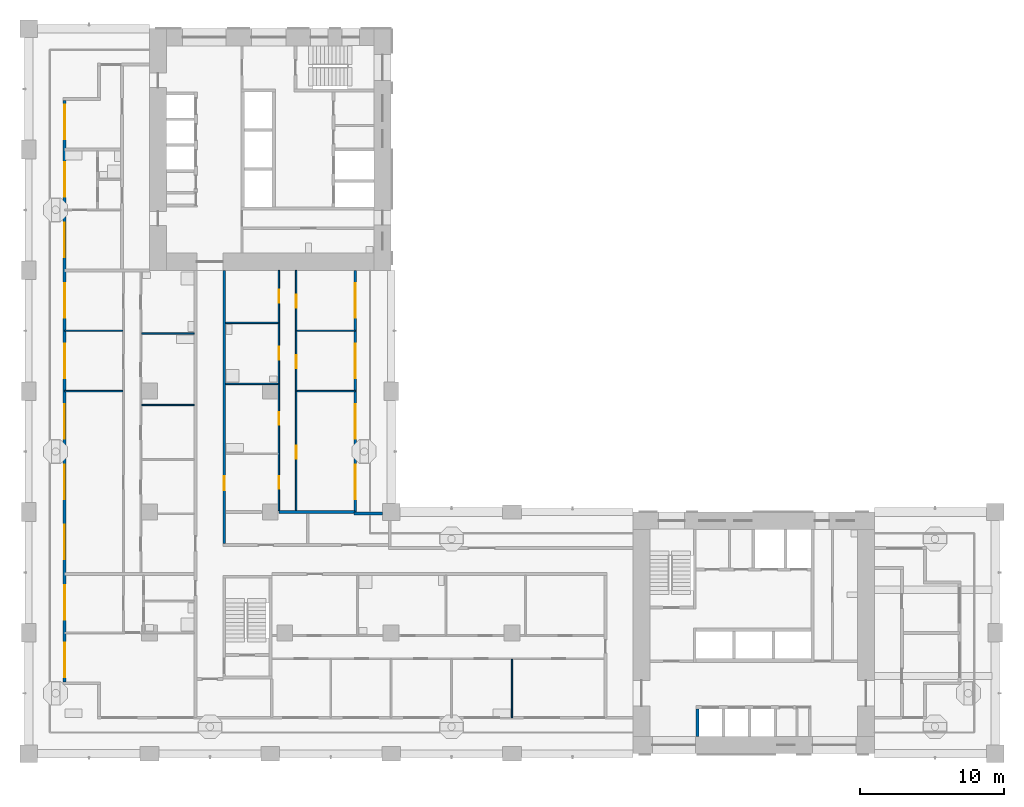
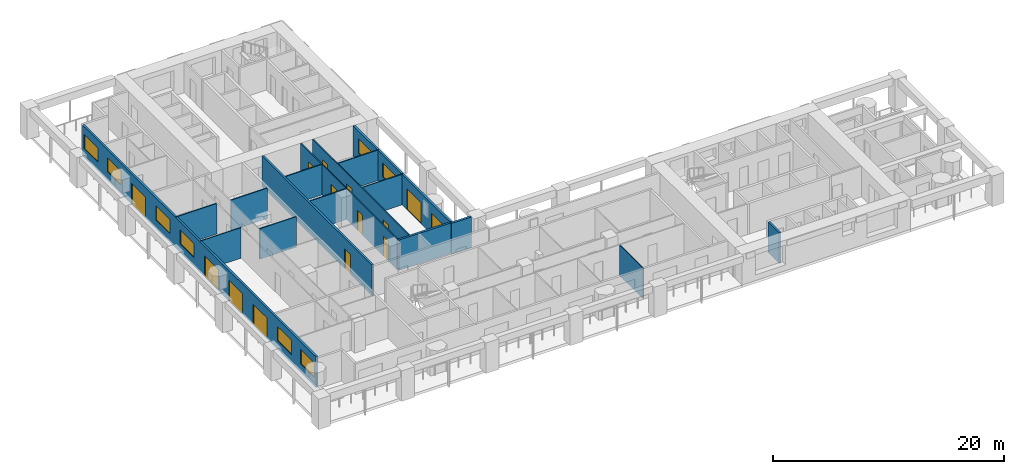
# One storey, part 4 of 18: 17 walls, 14 doors, 8 windows, 22 openings.
"""IFC4 building model written with IfcOpenShell, lengths in metres."""

from ifc_helpers import new_model, si_unit, direction, frame, frame_2d, origin, place, context, subcontext, project, spatial, rectangle, extrude, material, layer, layer_set, type_object, element, fill, save


model = new_model("IFC4")

# Units and contexts
model_context = context("Model", 3, precision=1e-05, world=origin(), true_north=direction((0.0, 1.0)))
body_context = subcontext(model_context, "Body", "Model", "MODEL_VIEW")
ifc_project = project(units=[si_unit("LENGTHUNIT", "METRE"), si_unit("AREAUNIT", "SQUARE_METRE"), si_unit("VOLUMEUNIT", "CUBIC_METRE"), si_unit("PLANEANGLEUNIT", "RADIAN"), si_unit("MASSUNIT", "GRAM", prefix="KILO")], contexts=[model_context])

# Site, building, storey
site_placement = place(None, origin())
site = spatial("IfcSite", under=ifc_project, at=site_placement, CompositionType="ELEMENT")
building_placement = place(site_placement, origin())
building = spatial("IfcBuilding", under=site, at=building_placement, Name="Vermilion Gate Residences", CompositionType="ELEMENT")
storey_placement = place(building_placement, frame((0.0, 0.0, 105.699951171875)))
storey = spatial("IfcBuildingStorey", under=building, at=storey_placement, Name="L26", CompositionType="ELEMENT", Elevation=105.699951171875)

# Wall, openings, doors, windows
ifc_material_1 = material(Name="Insulated steel stud wall with terracotta rainscreen", Category="masonry")
ifc_layer_1 = layer(ifc_material_1, 0.199951171875)
ifc_layer_set_1 = layer_set([ifc_layer_1], Name="EXTERNAL WALL 200 TERRACOTTA RAINSCREEN")
wall_type_1 = type_object("IfcWallType", Name="EXTERNAL WALL 200 TERRACOTTA RAINSCREEN", PredefinedType="SOLIDWALL", material=ifc_layer_set_1)
wall_1_placement = place(storey_placement, frame((2.5, 53.800048828125, 0.0), z_axis=(0.0, 0.0, 1.0), x_axis=(0.0, -1.0, 0.0)))
wall_1 = element("IfcWall", 1, at=wall_1_placement, inside=storey, type_object=wall_type_1, Name="External wall", PredefinedType="SOLIDWALL", context=body_context, shape_type="SweptSolid", body=[
    extrude(rectangle(XDim=40.400146484375, YDim=0.199951171875, at=frame_2d((20.2001953125, 0.0))), origin(), (0.0, 0.0, 1.0), 3.219970703125),
])
opening_1_placement = place(wall_1_placement, frame((37.699951171875, 0.0, 0.89990234375)))
opening_1 = element("IfcOpeningElement", 2, at=opening_1_placement, cuts=wall_1, Name="Opening WE26002", PredefinedType="OPENING", context=body_context, shape_type="SweptSolid", body=[
    extrude(rectangle(XDim=2.39990234375, YDim=1.5, at=frame_2d((1.199951171875, 0.75))), frame((0.0, 0.10986328125, 0.0), z_axis=(0.0, -1.0, 0.0), x_axis=(1.0, 0.0, 0.0)), (0.0, 0.0, 1.0), 0.219970703125),
])
opening_2_placement = place(wall_1_placement, frame((33.699951171875, 0.0, 0.89990234375)))
opening_2 = element("IfcOpeningElement", 3, at=opening_2_placement, cuts=wall_1, Name="Opening WE26003", PredefinedType="OPENING", context=body_context, shape_type="SweptSolid", body=[
    extrude(rectangle(XDim=2.39990234375, YDim=1.5, at=frame_2d((1.199951171875, 0.75))), frame((0.0, 0.10986328125, 0.0), z_axis=(0.0, -1.0, 0.0), x_axis=(1.0, 0.0, 0.0)), (0.0, 0.0, 1.0), 0.219970703125),
])
opening_3_placement = place(wall_1_placement, frame((29.5, 0.0, 0.0)))
opening_3 = element("IfcOpeningElement", 4, at=opening_3_placement, cuts=wall_1, Name="Opening DE26004", PredefinedType="OPENING", context=body_context, shape_type="SweptSolid", body=[
    extrude(rectangle(XDim=2.39990234375, YDim=2.199951171875, at=frame_2d((1.199951171875, 1.10009765625))), frame((0.0, 0.10986328125, 0.0), z_axis=(0.0, -1.0, 0.0), x_axis=(1.0, 0.0, 0.0)), (0.0, 0.0, 1.0), 0.219970703125),
])
opening_4_placement = place(wall_1_placement, frame((25.300048828125, 0.0, 0.0)))
opening_4 = element("IfcOpeningElement", 5, at=opening_4_placement, cuts=wall_1, Name="Opening DE26005", PredefinedType="OPENING", context=body_context, shape_type="SweptSolid", body=[
    extrude(rectangle(XDim=2.39990234375, YDim=2.199951171875, at=frame_2d((1.199951171875, 1.10009765625))), frame((0.0, 0.10986328125, 0.0), z_axis=(0.0, -1.0, 0.0), x_axis=(1.0, 0.0, 0.0)), (0.0, 0.0, 1.0), 0.219970703125),
])
opening_5_placement = place(wall_1_placement, frame((21.10009765625, 0.0, 0.0)))
opening_5 = element("IfcOpeningElement", 6, at=opening_5_placement, cuts=wall_1, Name="Opening DE26006", PredefinedType="OPENING", context=body_context, shape_type="SweptSolid", body=[
    extrude(rectangle(XDim=2.39990234375, YDim=2.199951171875, at=frame_2d((1.199951171875, 1.10009765625))), frame((0.0, 0.10986328125, 0.0), z_axis=(0.0, -1.0, 0.0), x_axis=(1.0, 0.0, 0.0)), (0.0, 0.0, 1.0), 0.219970703125),
])
opening_6_placement = place(wall_1_placement, frame((16.89990234375, 0.0, 0.89990234375)))
opening_6 = element("IfcOpeningElement", 7, at=opening_6_placement, cuts=wall_1, Name="Opening WE26007", PredefinedType="OPENING", context=body_context, shape_type="SweptSolid", body=[
    extrude(rectangle(XDim=2.39990234375, YDim=1.5, at=frame_2d((1.199951171875, 0.75))), frame((0.0, 0.10986328125, 0.0), z_axis=(0.0, -1.0, 0.0), x_axis=(1.0, 0.0, 0.0)), (0.0, 0.0, 1.0), 0.219970703125),
])
opening_7_placement = place(wall_1_placement, frame((12.699951171875, 0.0, 0.89990234375)))
opening_7 = element("IfcOpeningElement", 8, at=opening_7_placement, cuts=wall_1, Name="Opening WE26008", PredefinedType="OPENING", context=body_context, shape_type="SweptSolid", body=[
    extrude(rectangle(XDim=2.39990234375, YDim=1.5, at=frame_2d((1.199951171875, 0.75))), frame((0.0, 0.10986328125, 0.0), z_axis=(0.0, -1.0, 0.0), x_axis=(1.0, 0.0, 0.0)), (0.0, 0.0, 1.0), 0.219970703125),
])
opening_8_placement = place(wall_1_placement, frame((8.5, 0.0, 0.0)))
opening_8 = element("IfcOpeningElement", 9, at=opening_8_placement, cuts=wall_1, Name="Opening DE26009", PredefinedType="OPENING", context=body_context, shape_type="SweptSolid", body=[
    extrude(rectangle(XDim=2.39990234375, YDim=2.199951171875, at=frame_2d((1.199951171875, 1.10009765625))), frame((0.0, 0.10986328125, 0.0), z_axis=(0.0, -1.0, 0.0), x_axis=(1.0, 0.0, 0.0)), (0.0, 0.0, 1.0), 0.219970703125),
])
opening_9_placement = place(wall_1_placement, frame((4.300048828125, 0.0, 0.89990234375)))
opening_9 = element("IfcOpeningElement", 10, at=opening_9_placement, cuts=wall_1, Name="Opening WE26010", PredefinedType="OPENING", context=body_context, shape_type="SweptSolid", body=[
    extrude(rectangle(XDim=2.39990234375, YDim=1.5, at=frame_2d((1.199951171875, 0.75))), frame((0.0, 0.10986328125, 0.0), z_axis=(0.0, -1.0, 0.0), x_axis=(1.0, 0.0, 0.0)), (0.0, 0.0, 1.0), 0.219970703125),
])
opening_10_placement = place(wall_1_placement, frame((0.300048828125, 0.0, 0.89990234375)))
opening_10 = element("IfcOpeningElement", 11, at=opening_10_placement, cuts=wall_1, Name="Opening WE26011", PredefinedType="OPENING", context=body_context, shape_type="SweptSolid", body=[
    extrude(rectangle(XDim=2.39990234375, YDim=1.5, at=frame_2d((1.199951171875, 0.75))), frame((0.0, 0.10986328125, 0.0), z_axis=(0.0, -1.0, 0.0), x_axis=(1.0, 0.0, 0.0)), (0.0, 0.0, 1.0), 0.219970703125),
])
ifc_material_2 = material(Name="Aluminium and clear glass", Category="aluminium")
door_type_1 = type_object("IfcDoorType", Name="SLIDING GLAZED DOOR 2400 X 2200", OperationType="DOUBLE_DOOR_SLIDING", PredefinedType="DOOR", material=ifc_material_2)
door_1_placement = place(opening_3_placement, origin())
door_1 = element("IfcDoor", 12, at=door_1_placement, inside=storey, type_object=door_type_1, Name="Loggia sliding door", OperationType="DOUBLE_DOOR_SLIDING", OverallHeight=2.199951171875, OverallWidth=2.39990234375, PredefinedType="DOOR", context=body_context, shape_type="SweptSolid", body=[
    extrude(rectangle(XDim=2.39990234375, YDim=2.199951171875, at=frame_2d((1.199951171875, 1.10009765625))), frame((0.0, 0.02490234375, 0.0), z_axis=(0.0, -1.0, 0.0), x_axis=(1.0, 0.0, 0.0)), (0.0, 0.0, 1.0), 0.050048828125),
])
fill(opening_3, door_1)
door_2_placement = place(opening_4_placement, origin())
door_2 = element("IfcDoor", 13, at=door_2_placement, inside=storey, type_object=door_type_1, Name="Loggia sliding door", OperationType="DOUBLE_DOOR_SLIDING", OverallHeight=2.199951171875, OverallWidth=2.39990234375, PredefinedType="DOOR", context=body_context, shape_type="SweptSolid", body=[
    extrude(rectangle(XDim=2.39990234375, YDim=2.199951171875, at=frame_2d((1.199951171875, 1.10009765625))), frame((0.0, 0.02490234375, 0.0), z_axis=(0.0, -1.0, 0.0), x_axis=(1.0, 0.0, 0.0)), (0.0, 0.0, 1.0), 0.050048828125),
])
fill(opening_4, door_2)
door_3_placement = place(opening_5_placement, origin())
door_3 = element("IfcDoor", 14, at=door_3_placement, inside=storey, type_object=door_type_1, Name="Loggia sliding door", OperationType="DOUBLE_DOOR_SLIDING", OverallHeight=2.199951171875, OverallWidth=2.39990234375, PredefinedType="DOOR", context=body_context, shape_type="SweptSolid", body=[
    extrude(rectangle(XDim=2.39990234375, YDim=2.199951171875, at=frame_2d((1.199951171875, 1.10009765625))), frame((0.0, 0.02490234375, 0.0), z_axis=(0.0, -1.0, 0.0), x_axis=(1.0, 0.0, 0.0)), (0.0, 0.0, 1.0), 0.050048828125),
])
fill(opening_5, door_3)
door_4_placement = place(opening_8_placement, origin())
door_4 = element("IfcDoor", 15, at=door_4_placement, inside=storey, type_object=door_type_1, Name="Loggia sliding door", OperationType="DOUBLE_DOOR_SLIDING", OverallHeight=2.199951171875, OverallWidth=2.39990234375, PredefinedType="DOOR", context=body_context, shape_type="SweptSolid", body=[
    extrude(rectangle(XDim=2.39990234375, YDim=2.199951171875, at=frame_2d((1.199951171875, 1.10009765625))), frame((0.0, 0.02490234375, 0.0), z_axis=(0.0, -1.0, 0.0), x_axis=(1.0, 0.0, 0.0)), (0.0, 0.0, 1.0), 0.050048828125),
])
fill(opening_8, door_4)
ifc_material_3 = material(Name="Aluminium and clear glass", Category="aluminium")
window_type = type_object("IfcWindowType", Name="WINDOW 2400 X 1500", PartitioningType="SINGLE_PANEL", PredefinedType="WINDOW", material=ifc_material_3)
window_1_placement = place(opening_1_placement, origin())
window_1 = element("IfcWindow", 16, at=window_1_placement, inside=storey, type_object=window_type, Name="Window", OverallHeight=1.5, OverallWidth=2.39990234375, PartitioningType="SINGLE_PANEL", PredefinedType="WINDOW", context=body_context, shape_type="SweptSolid", body=[
    extrude(rectangle(XDim=2.39990234375, YDim=1.5, at=frame_2d((1.199951171875, 0.75))), frame((0.0, 0.030029296875, 0.0), z_axis=(0.0, -1.0, 0.0), x_axis=(1.0, 0.0, 0.0)), (0.0, 0.0, 1.0), 0.06005859375),
])
fill(opening_1, window_1)
window_2_placement = place(opening_2_placement, origin())
window_2 = element("IfcWindow", 17, at=window_2_placement, inside=storey, type_object=window_type, Name="Window", OverallHeight=1.5, OverallWidth=2.39990234375, PartitioningType="SINGLE_PANEL", PredefinedType="WINDOW", context=body_context, shape_type="SweptSolid", body=[
    extrude(rectangle(XDim=2.39990234375, YDim=1.5, at=frame_2d((1.199951171875, 0.75))), frame((0.0, 0.030029296875, 0.0), z_axis=(0.0, -1.0, 0.0), x_axis=(1.0, 0.0, 0.0)), (0.0, 0.0, 1.0), 0.06005859375),
])
fill(opening_2, window_2)
window_3_placement = place(opening_6_placement, origin())
window_3 = element("IfcWindow", 18, at=window_3_placement, inside=storey, type_object=window_type, Name="Window", OverallHeight=1.5, OverallWidth=2.39990234375, PartitioningType="SINGLE_PANEL", PredefinedType="WINDOW", context=body_context, shape_type="SweptSolid", body=[
    extrude(rectangle(XDim=2.39990234375, YDim=1.5, at=frame_2d((1.199951171875, 0.75))), frame((0.0, 0.030029296875, 0.0), z_axis=(0.0, -1.0, 0.0), x_axis=(1.0, 0.0, 0.0)), (0.0, 0.0, 1.0), 0.06005859375),
])
fill(opening_6, window_3)
window_4_placement = place(opening_7_placement, origin())
window_4 = element("IfcWindow", 19, at=window_4_placement, inside=storey, type_object=window_type, Name="Window", OverallHeight=1.5, OverallWidth=2.39990234375, PartitioningType="SINGLE_PANEL", PredefinedType="WINDOW", context=body_context, shape_type="SweptSolid", body=[
    extrude(rectangle(XDim=2.39990234375, YDim=1.5, at=frame_2d((1.199951171875, 0.75))), frame((0.0, 0.030029296875, 0.0), z_axis=(0.0, -1.0, 0.0), x_axis=(1.0, 0.0, 0.0)), (0.0, 0.0, 1.0), 0.06005859375),
])
fill(opening_7, window_4)
window_5_placement = place(opening_9_placement, origin())
window_5 = element("IfcWindow", 20, at=window_5_placement, inside=storey, type_object=window_type, Name="Window", OverallHeight=1.5, OverallWidth=2.39990234375, PartitioningType="SINGLE_PANEL", PredefinedType="WINDOW", context=body_context, shape_type="SweptSolid", body=[
    extrude(rectangle(XDim=2.39990234375, YDim=1.5, at=frame_2d((1.199951171875, 0.75))), frame((0.0, 0.030029296875, 0.0), z_axis=(0.0, -1.0, 0.0), x_axis=(1.0, 0.0, 0.0)), (0.0, 0.0, 1.0), 0.06005859375),
])
fill(opening_9, window_5)
window_6_placement = place(opening_10_placement, origin())
window_6 = element("IfcWindow", 21, at=window_6_placement, inside=storey, type_object=window_type, Name="Window", OverallHeight=1.5, OverallWidth=2.39990234375, PartitioningType="SINGLE_PANEL", PredefinedType="WINDOW", context=body_context, shape_type="SweptSolid", body=[
    extrude(rectangle(XDim=2.39990234375, YDim=1.5, at=frame_2d((1.199951171875, 0.75))), frame((0.0, 0.030029296875, 0.0), z_axis=(0.0, -1.0, 0.0), x_axis=(1.0, 0.0, 0.0)), (0.0, 0.0, 1.0), 0.06005859375),
])
fill(opening_10, window_6)

# Wall
wall_2_placement = place(storey_placement, frame((24.60009765625, 25.10009765625, 0.0), z_axis=(0.0, 0.0, 1.0), x_axis=(-1.0, 0.0, 0.0)))
element("IfcWall", 22, at=wall_2_placement, inside=storey, type_object=wall_type_1, Name="External wall", PredefinedType="SOLIDWALL", context=body_context, shape_type="SweptSolid", body=[
    extrude(rectangle(XDim=2.0, YDim=0.199951171875, at=frame_2d((1.0, 0.0))), origin(), (0.0, 0.0, 1.0), 3.219970703125),
])

# Wall, openings, doors, windows
wall_3_placement = place(storey_placement, frame((22.699951171875, 25.199951171875, 0.0), z_axis=(0.0, 0.0, 1.0), x_axis=(0.0, 1.0, 0.0)))
wall_3 = element("IfcWall", 23, at=wall_3_placement, inside=storey, type_object=wall_type_1, Name="External wall", PredefinedType="SOLIDWALL", context=body_context, shape_type="SweptSolid", body=[
    extrude(rectangle(XDim=16.800048828125, YDim=0.199951171875, at=frame_2d((8.39990234375, 0.0))), origin(), (0.0, 0.0, 1.0), 3.219970703125),
])
opening_11_placement = place(wall_3_placement, frame((0.89990234375, 0.0, 0.0)))
opening_11 = element("IfcOpeningElement", 24, at=opening_11_placement, cuts=wall_3, Name="Opening DE26024", PredefinedType="OPENING", context=body_context, shape_type="SweptSolid", body=[
    extrude(rectangle(XDim=2.39990234375, YDim=2.199951171875, at=frame_2d((1.199951171875, 1.10009765625))), frame((0.0, 0.10986328125, 0.0), z_axis=(0.0, -1.0, 0.0), x_axis=(1.0, 0.0, 0.0)), (0.0, 0.0, 1.0), 0.219970703125),
])
opening_12_placement = place(wall_3_placement, frame((5.10009765625, 0.0, 0.0)))
opening_12 = element("IfcOpeningElement", 25, at=opening_12_placement, cuts=wall_3, Name="Opening DE26025", PredefinedType="OPENING", context=body_context, shape_type="SweptSolid", body=[
    extrude(rectangle(XDim=2.39990234375, YDim=2.199951171875, at=frame_2d((1.199951171875, 1.10009765625))), frame((0.0, 0.10986328125, 0.0), z_axis=(0.0, -1.0, 0.0), x_axis=(1.0, 0.0, 0.0)), (0.0, 0.0, 1.0), 0.219970703125),
])
opening_13_placement = place(wall_3_placement, frame((9.300048828125, 0.0, 0.89990234375)))
opening_13 = element("IfcOpeningElement", 26, at=opening_13_placement, cuts=wall_3, Name="Opening WE26026", PredefinedType="OPENING", context=body_context, shape_type="SweptSolid", body=[
    extrude(rectangle(XDim=2.39990234375, YDim=1.5, at=frame_2d((1.199951171875, 0.75))), frame((0.0, 0.10986328125, 0.0), z_axis=(0.0, -1.0, 0.0), x_axis=(1.0, 0.0, 0.0)), (0.0, 0.0, 1.0), 0.219970703125),
])
opening_14_placement = place(wall_3_placement, frame((13.5, 0.0, 0.89990234375)))
opening_14 = element("IfcOpeningElement", 27, at=opening_14_placement, cuts=wall_3, Name="Opening WE26027", PredefinedType="OPENING", context=body_context, shape_type="SweptSolid", body=[
    extrude(rectangle(XDim=2.39990234375, YDim=1.5, at=frame_2d((1.199951171875, 0.75))), frame((0.0, 0.10986328125, 0.0), z_axis=(0.0, -1.0, 0.0), x_axis=(1.0, 0.0, 0.0)), (0.0, 0.0, 1.0), 0.219970703125),
])
door_5_placement = place(opening_11_placement, origin())
door_5 = element("IfcDoor", 28, at=door_5_placement, inside=storey, type_object=door_type_1, Name="Loggia sliding door", OperationType="DOUBLE_DOOR_SLIDING", OverallHeight=2.199951171875, OverallWidth=2.39990234375, PredefinedType="DOOR", context=body_context, shape_type="SweptSolid", body=[
    extrude(rectangle(XDim=2.39990234375, YDim=2.199951171875, at=frame_2d((1.199951171875, 1.10009765625))), frame((0.0, 0.02490234375, 0.0), z_axis=(0.0, -1.0, 0.0), x_axis=(1.0, 0.0, 0.0)), (0.0, 0.0, 1.0), 0.050048828125),
])
fill(opening_11, door_5)
door_6_placement = place(opening_12_placement, origin())
door_6 = element("IfcDoor", 29, at=door_6_placement, inside=storey, type_object=door_type_1, Name="Loggia sliding door", OperationType="DOUBLE_DOOR_SLIDING", OverallHeight=2.199951171875, OverallWidth=2.39990234375, PredefinedType="DOOR", context=body_context, shape_type="SweptSolid", body=[
    extrude(rectangle(XDim=2.39990234375, YDim=2.199951171875, at=frame_2d((1.199951171875, 1.10009765625))), frame((0.0, 0.02490234375, 0.0), z_axis=(0.0, -1.0, 0.0), x_axis=(1.0, 0.0, 0.0)), (0.0, 0.0, 1.0), 0.050048828125),
])
fill(opening_12, door_6)
window_7_placement = place(opening_13_placement, origin())
window_7 = element("IfcWindow", 30, at=window_7_placement, inside=storey, type_object=window_type, Name="Window", OverallHeight=1.5, OverallWidth=2.39990234375, PartitioningType="SINGLE_PANEL", PredefinedType="WINDOW", context=body_context, shape_type="SweptSolid", body=[
    extrude(rectangle(XDim=2.39990234375, YDim=1.5, at=frame_2d((1.199951171875, 0.75))), frame((0.0, 0.030029296875, 0.0), z_axis=(0.0, -1.0, 0.0), x_axis=(1.0, 0.0, 0.0)), (0.0, 0.0, 1.0), 0.06005859375),
])
fill(opening_13, window_7)
window_8_placement = place(opening_14_placement, origin())
window_8 = element("IfcWindow", 31, at=window_8_placement, inside=storey, type_object=window_type, Name="Window", OverallHeight=1.5, OverallWidth=2.39990234375, PartitioningType="SINGLE_PANEL", PredefinedType="WINDOW", context=body_context, shape_type="SweptSolid", body=[
    extrude(rectangle(XDim=2.39990234375, YDim=1.5, at=frame_2d((1.199951171875, 0.75))), frame((0.0, 0.030029296875, 0.0), z_axis=(0.0, -1.0, 0.0), x_axis=(1.0, 0.0, 0.0)), (0.0, 0.0, 1.0), 0.06005859375),
])
fill(opening_14, window_8)

# Walls
ifc_material_4 = material(Name="Plasterboard on steel studs", Category="steel")
ifc_layer_2 = layer(ifc_material_4, 0.10009765625)
ifc_layer_set_2 = layer_set([ifc_layer_2], Name="PARTITION 100")
wall_type_2 = type_object("IfcWallType", Name="PARTITION 100", PredefinedType="PARTITIONING", material=ifc_layer_set_2)
wall_4_placement = place(storey_placement, frame((7.85009765625, 32.639892578125, 0.0), z_axis=(0.0, 0.0, 1.0), x_axis=(1.0, 0.0, 0.0)))
element("IfcWall", 32, at=wall_4_placement, inside=storey, type_object=wall_type_2, Name="Partition", PredefinedType="PARTITIONING", context=body_context, shape_type="SweptSolid", body=[
    extrude(rectangle(XDim=3.64990234375, YDim=0.10009765625, at=frame_2d((1.824951171875, 0.0))), origin(), (0.0, 0.0, 1.0), 3.219970703125),
])
for number, where, z_axis, x_axis, name in (
    (33, (2.5, 33.60009765625, 0.0), (0.0, 0.0, 1.0), (1.0, 0.0, 0.0), "Partition"),
    (34, (18.64990234375, 33.60009765625, 0.0), (0.0, 0.0, 1.0), (1.0, 0.0, 0.0), "Partition"),
):
    element("IfcWall", number, at=place(storey_placement, frame(where, z_axis=z_axis, x_axis=x_axis)), inside=storey, type_object=wall_type_2, Name=name, PredefinedType="PARTITIONING", context=body_context, shape_type="SweptSolid", body=[
        extrude(rectangle(XDim=4.050048828125, YDim=0.10009765625, at=frame_2d((2.02490234375, 0.0))), origin(), (0.0, 0.0, 1.0), 3.219970703125),
    ])
wall_5_placement = place(storey_placement, frame((13.699951171875, 34.10009765625, 0.0), z_axis=(0.0, 0.0, 1.0), x_axis=(1.0, 0.0, 0.0)))
element("IfcWall", 35, at=wall_5_placement, inside=storey, type_object=wall_type_2, Name="Partition", PredefinedType="PARTITIONING", context=body_context, shape_type="SweptSolid", body=[
    extrude(rectangle(XDim=3.650146484375, YDim=0.10009765625, at=frame_2d((1.8251953125, 0.0))), origin(), (0.0, 0.0, 1.0), 3.219970703125),
])
wall_6_placement = place(storey_placement, frame((7.85009765625, 37.6201171875, 0.0), z_axis=(0.0, 0.0, 1.0), x_axis=(1.0, 0.0, 0.0)))
element("IfcWall", 36, at=wall_6_placement, inside=storey, type_object=wall_type_2, Name="Partition", PredefinedType="PARTITIONING", context=body_context, shape_type="SweptSolid", body=[
    extrude(rectangle(XDim=3.64990234375, YDim=0.10009765625, at=frame_2d((1.824951171875, 0.0))), origin(), (0.0, 0.0, 1.0), 3.219970703125),
])
for number, where, z_axis, x_axis, name in (
    (37, (2.5, 37.800048828125, 0.0), (0.0, 0.0, 1.0), (1.0, 0.0, 0.0), "Partition"),
    (38, (18.64990234375, 37.800048828125, 0.0), (0.0, 0.0, 1.0), (1.0, 0.0, 0.0), "Partition"),
):
    element("IfcWall", number, at=place(storey_placement, frame(where, z_axis=z_axis, x_axis=x_axis)), inside=storey, type_object=wall_type_2, Name=name, PredefinedType="PARTITIONING", context=body_context, shape_type="SweptSolid", body=[
        extrude(rectangle(XDim=4.050048828125, YDim=0.10009765625, at=frame_2d((2.02490234375, 0.0))), origin(), (0.0, 0.0, 1.0), 3.219970703125),
    ])
wall_7_placement = place(storey_placement, frame((13.699951171875, 38.35009765625, 0.0), z_axis=(0.0, 0.0, 1.0), x_axis=(1.0, 0.0, 0.0)))
element("IfcWall", 39, at=wall_7_placement, inside=storey, type_object=wall_type_2, Name="Partition", PredefinedType="PARTITIONING", context=body_context, shape_type="SweptSolid", body=[
    extrude(rectangle(XDim=3.650146484375, YDim=0.10009765625, at=frame_2d((1.8251953125, 0.0))), origin(), (0.0, 0.0, 1.0), 3.219970703125),
])

# Wall, openings, doors
wall_8_placement = place(storey_placement, frame((17.39990234375, 25.300048828125, 0.0), z_axis=(0.0, 0.0, 1.0), x_axis=(0.0, 1.0, 0.0)))
wall_8 = element("IfcWall", 40, at=wall_8_placement, inside=storey, type_object=wall_type_2, Name="Partition", PredefinedType="PARTITIONING", context=body_context, shape_type="SweptSolid", body=[
    extrude(rectangle(XDim=16.699951171875, YDim=0.10009765625, at=frame_2d((8.35009765625, 0.0))), origin(), (0.0, 0.0, 1.0), 3.219970703125),
])
opening_15_placement = place(wall_8_placement, frame((1.5, 0.0, 0.0)))
opening_15 = element("IfcOpeningElement", 41, at=opening_15_placement, cuts=wall_8, Name="Opening DA25034", PredefinedType="OPENING", context=body_context, shape_type="SweptSolid", body=[
    extrude(rectangle(XDim=0.89990234375, YDim=2.10009765625, at=frame_2d((0.449951171875, 1.050048828125))), frame((0.0, 0.06005859375, 0.0), z_axis=(0.0, -1.0, 0.0), x_axis=(1.0, 0.0, 0.0)), (0.0, 0.0, 1.0), 0.1201171875),
])
opening_16_placement = place(wall_8_placement, frame((5.949951171875, 0.0, 0.0)))
opening_16 = element("IfcOpeningElement", 42, at=opening_16_placement, cuts=wall_8, Name="Opening DA25035", PredefinedType="OPENING", context=body_context, shape_type="SweptSolid", body=[
    extrude(rectangle(XDim=0.89990234375, YDim=2.10009765625, at=frame_2d((0.449951171875, 1.050048828125))), frame((0.0, 0.06005859375, 0.0), z_axis=(0.0, -1.0, 0.0), x_axis=(1.0, 0.0, 0.0)), (0.0, 0.0, 1.0), 0.1201171875),
])
opening_17_placement = place(wall_8_placement, frame((10.5, 0.0, 0.0)))
opening_17 = element("IfcOpeningElement", 43, at=opening_17_placement, cuts=wall_8, Name="Opening DA25036", PredefinedType="OPENING", context=body_context, shape_type="SweptSolid", body=[
    extrude(rectangle(XDim=0.89990234375, YDim=2.10009765625, at=frame_2d((0.449951171875, 1.050048828125))), frame((0.0, 0.06005859375, 0.0), z_axis=(0.0, -1.0, 0.0), x_axis=(1.0, 0.0, 0.0)), (0.0, 0.0, 1.0), 0.1201171875),
])
opening_18_placement = place(wall_8_placement, frame((14.449951171875, 0.0, 0.0)))
opening_18 = element("IfcOpeningElement", 44, at=opening_18_placement, cuts=wall_8, Name="Opening DA25037", PredefinedType="OPENING", context=body_context, shape_type="SweptSolid", body=[
    extrude(rectangle(XDim=0.89990234375, YDim=2.10009765625, at=frame_2d((0.449951171875, 1.050048828125))), frame((0.0, 0.06005859375, 0.0), z_axis=(0.0, -1.0, 0.0), x_axis=(1.0, 0.0, 0.0)), (0.0, 0.0, 1.0), 0.1201171875),
])
ifc_material_5 = material(Name="Timber", Category="wood")
door_type_2 = type_object("IfcDoorType", Name="INTERIOR DOOR 900 X 2100", OperationType="SINGLE_SWING_LEFT", PredefinedType="DOOR", material=ifc_material_5)
door_7_placement = place(opening_15_placement, origin())
door_7 = element("IfcDoor", 45, at=door_7_placement, inside=storey, type_object=door_type_2, Name="Interior door", OperationType="SINGLE_SWING_LEFT", OverallHeight=2.10009765625, OverallWidth=0.89990234375, PredefinedType="DOOR", context=body_context, shape_type="SweptSolid", body=[
    extrude(rectangle(XDim=0.89990234375, YDim=2.10009765625, at=frame_2d((0.449951171875, 1.050048828125))), frame((0.0, 0.02490234375, 0.0), z_axis=(0.0, -1.0, 0.0), x_axis=(1.0, 0.0, 0.0)), (0.0, 0.0, 1.0), 0.050048828125),
])
fill(opening_15, door_7)
door_8_placement = place(opening_16_placement, origin())
door_8 = element("IfcDoor", 46, at=door_8_placement, inside=storey, type_object=door_type_2, Name="Interior door", OperationType="SINGLE_SWING_RIGHT", OverallHeight=2.10009765625, OverallWidth=0.89990234375, PredefinedType="DOOR", context=body_context, shape_type="SweptSolid", body=[
    extrude(rectangle(XDim=0.89990234375, YDim=2.10009765625, at=frame_2d((0.449951171875, 1.050048828125))), frame((0.0, 0.02490234375, 0.0), z_axis=(0.0, -1.0, 0.0), x_axis=(1.0, 0.0, 0.0)), (0.0, 0.0, 1.0), 0.050048828125),
])
fill(opening_16, door_8)
door_9_placement = place(opening_17_placement, origin())
door_9 = element("IfcDoor", 47, at=door_9_placement, inside=storey, type_object=door_type_2, Name="Interior door", OperationType="SINGLE_SWING_LEFT", OverallHeight=2.10009765625, OverallWidth=0.89990234375, PredefinedType="DOOR", context=body_context, shape_type="SweptSolid", body=[
    extrude(rectangle(XDim=0.89990234375, YDim=2.10009765625, at=frame_2d((0.449951171875, 1.050048828125))), frame((0.0, 0.02490234375, 0.0), z_axis=(0.0, -1.0, 0.0), x_axis=(1.0, 0.0, 0.0)), (0.0, 0.0, 1.0), 0.050048828125),
])
fill(opening_17, door_9)
door_10_placement = place(opening_18_placement, origin())
door_10 = element("IfcDoor", 48, at=door_10_placement, inside=storey, type_object=door_type_2, Name="Interior door", OperationType="SINGLE_SWING_LEFT", OverallHeight=2.10009765625, OverallWidth=0.89990234375, PredefinedType="DOOR", context=body_context, shape_type="SweptSolid", body=[
    extrude(rectangle(XDim=0.89990234375, YDim=2.10009765625, at=frame_2d((0.449951171875, 1.050048828125))), frame((0.0, 0.02490234375, 0.0), z_axis=(0.0, -1.0, 0.0), x_axis=(1.0, 0.0, 0.0)), (0.0, 0.0, 1.0), 0.050048828125),
])
fill(opening_18, door_10)

wall_9_placement = place(storey_placement, frame((18.60009765625, 25.300048828125, 0.0), z_axis=(0.0, 0.0, 1.0), x_axis=(0.0, 1.0, 0.0)))
wall_9 = element("IfcWall", 49, at=wall_9_placement, inside=storey, type_object=wall_type_2, Name="Partition", PredefinedType="PARTITIONING", context=body_context, shape_type="SweptSolid", body=[
    extrude(rectangle(XDim=16.699951171875, YDim=0.10009765625, at=frame_2d((8.35009765625, 0.0))), origin(), (0.0, 0.0, 1.0), 3.219970703125),
])
opening_19_placement = place(wall_9_placement, frame((3.60009765625, 0.0, 0.0)))
opening_19 = element("IfcOpeningElement", 50, at=opening_19_placement, cuts=wall_9, Name="Opening DA25038", PredefinedType="OPENING", context=body_context, shape_type="SweptSolid", body=[
    extrude(rectangle(XDim=0.89990234375, YDim=2.10009765625, at=frame_2d((0.449951171875, 1.050048828125))), frame((0.0, 0.06005859375, 0.0), z_axis=(0.0, -1.0, 0.0), x_axis=(1.0, 0.0, 0.0)), (0.0, 0.0, 1.0), 0.1201171875),
])
opening_20_placement = place(wall_9_placement, frame((9.89990234375, 0.0, 0.0)))
opening_20 = element("IfcOpeningElement", 51, at=opening_20_placement, cuts=wall_9, Name="Opening DA25039", PredefinedType="OPENING", context=body_context, shape_type="SweptSolid", body=[
    extrude(rectangle(XDim=0.89990234375, YDim=2.10009765625, at=frame_2d((0.449951171875, 1.050048828125))), frame((0.0, 0.06005859375, 0.0), z_axis=(0.0, -1.0, 0.0), x_axis=(1.0, 0.0, 0.0)), (0.0, 0.0, 1.0), 0.1201171875),
])
opening_21_placement = place(wall_9_placement, frame((14.10009765625, 0.0, 0.0)))
opening_21 = element("IfcOpeningElement", 52, at=opening_21_placement, cuts=wall_9, Name="Opening DA25040", PredefinedType="OPENING", context=body_context, shape_type="SweptSolid", body=[
    extrude(rectangle(XDim=0.89990234375, YDim=2.10009765625, at=frame_2d((0.449951171875, 1.050048828125))), frame((0.0, 0.06005859375, 0.0), z_axis=(0.0, -1.0, 0.0), x_axis=(1.0, 0.0, 0.0)), (0.0, 0.0, 1.0), 0.1201171875),
])
door_11_placement = place(opening_19_placement, frame((0.89990234375, 0.0, 0.0), z_axis=(0.0, 0.0, 1.0), x_axis=(-1.0, 0.0, 0.0)))
door_11 = element("IfcDoor", 53, at=door_11_placement, inside=storey, type_object=door_type_2, Name="Interior door", OperationType="SINGLE_SWING_RIGHT", OverallHeight=2.10009765625, OverallWidth=0.89990234375, PredefinedType="DOOR", context=body_context, shape_type="SweptSolid", body=[
    extrude(rectangle(XDim=0.89990234375, YDim=2.10009765625, at=frame_2d((0.449951171875, 1.050048828125))), frame((0.0, 0.02490234375, 0.0), z_axis=(0.0, -1.0, 0.0), x_axis=(1.0, 0.0, 0.0)), (0.0, 0.0, 1.0), 0.050048828125),
])
fill(opening_19, door_11)
door_12_placement = place(opening_20_placement, frame((0.89990234375, 0.0, 0.0), z_axis=(0.0, 0.0, 1.0), x_axis=(-1.0, 0.0, 0.0)))
door_12 = element("IfcDoor", 54, at=door_12_placement, inside=storey, type_object=door_type_2, Name="Interior door", OperationType="SINGLE_SWING_RIGHT", OverallHeight=2.10009765625, OverallWidth=0.89990234375, PredefinedType="DOOR", context=body_context, shape_type="SweptSolid", body=[
    extrude(rectangle(XDim=0.89990234375, YDim=2.10009765625, at=frame_2d((0.449951171875, 1.050048828125))), frame((0.0, 0.02490234375, 0.0), z_axis=(0.0, -1.0, 0.0), x_axis=(1.0, 0.0, 0.0)), (0.0, 0.0, 1.0), 0.050048828125),
])
fill(opening_20, door_12)
door_13_placement = place(opening_21_placement, frame((0.89990234375, 0.0, 0.0), z_axis=(0.0, 0.0, 1.0), x_axis=(-1.0, 0.0, 0.0)))
door_13 = element("IfcDoor", 55, at=door_13_placement, inside=storey, type_object=door_type_2, Name="Interior door", OperationType="SINGLE_SWING_RIGHT", OverallHeight=2.10009765625, OverallWidth=0.89990234375, PredefinedType="DOOR", context=body_context, shape_type="SweptSolid", body=[
    extrude(rectangle(XDim=0.89990234375, YDim=2.10009765625, at=frame_2d((0.449951171875, 1.050048828125))), frame((0.0, 0.02490234375, 0.0), z_axis=(0.0, -1.0, 0.0), x_axis=(1.0, 0.0, 0.0)), (0.0, 0.0, 1.0), 0.050048828125),
])
fill(opening_21, door_13)

# Walls
wall_10_placement = place(storey_placement, frame((33.60009765625, 10.89990234375, 0.0), z_axis=(0.0, 0.0, 1.0), x_axis=(0.0, 1.0, 0.0)))
element("IfcWall", 56, at=wall_10_placement, inside=storey, type_object=wall_type_2, Name="Partition", PredefinedType="PARTITIONING", context=body_context, shape_type="SweptSolid", body=[
    extrude(rectangle(XDim=4.050048828125, YDim=0.10009765625, at=frame_2d((2.02490234375, 0.0))), origin(), (0.0, 0.0, 1.0), 3.219970703125),
])
ifc_material_6 = material(Name="Fire-rated plasterboard on steel studs", Category="steel")
ifc_layer_3 = layer(ifc_material_6, 0.199951171875)
ifc_layer_set_3 = layer_set([ifc_layer_3], Name="PARTY WALL 200 EI 120")
wall_type_3 = type_object("IfcWallType", Name="PARTY WALL 200 EI 120", PredefinedType="PARTITIONING", material=ifc_layer_set_3)
wall_11_placement = place(storey_placement, frame((17.39990234375, 25.199951171875, 0.0), z_axis=(0.0, 0.0, 1.0), x_axis=(1.0, 0.0, 0.0)))
element("IfcWall", 57, at=wall_11_placement, inside=storey, type_object=wall_type_3, Name="Party and corridor wall", PredefinedType="PARTITIONING", context=body_context, shape_type="SweptSolid", body=[
    extrude(rectangle(XDim=5.300048828125, YDim=0.199951171875, at=frame_2d((2.64990234375, 0.0))), origin(), (0.0, 0.0, 1.0), 3.219970703125),
])

# Wall, opening, door
wall_12_placement = place(storey_placement, frame((13.60009765625, 23.0, 0.0), z_axis=(0.0, 0.0, 1.0), x_axis=(0.0, 1.0, 0.0)))
wall_12 = element("IfcWall", 58, at=wall_12_placement, inside=storey, type_object=wall_type_3, Name="Party and corridor wall", PredefinedType="PARTITIONING", context=body_context, shape_type="SweptSolid", body=[
    extrude(rectangle(XDim=19.0, YDim=0.199951171875, at=frame_2d((9.5, 0.0))), origin(), (0.0, 0.0, 1.0), 3.219970703125),
])
opening_22_placement = place(wall_12_placement, frame((3.699951171875, 0.0, 0.0)))
opening_22 = element("IfcOpeningElement", 59, at=opening_22_placement, cuts=wall_12, Name="Opening DA25033", PredefinedType="OPENING", context=body_context, shape_type="SweptSolid", body=[
    extrude(rectangle(XDim=1.0, YDim=2.10009765625, at=frame_2d((0.5, 1.050048828125))), frame((0.0, 0.10986328125, 0.0), z_axis=(0.0, -1.0, 0.0), x_axis=(1.0, 0.0, 0.0)), (0.0, 0.0, 1.0), 0.219970703125),
])
ifc_material_7 = material(Name="Steel", Category="steel")
door_type_3 = type_object("IfcDoorType", Name="ENTRANCE DOOR 1000 X 2100 FD30", OperationType="SINGLE_SWING_LEFT", PredefinedType="DOOR", material=ifc_material_7)
door_14_placement = place(opening_22_placement, frame((1.0, 0.0, 0.0), z_axis=(0.0, 0.0, 1.0), x_axis=(-1.0, 0.0, 0.0)))
door_14 = element("IfcDoor", 60, at=door_14_placement, inside=storey, type_object=door_type_3, Name="Entrance door", OperationType="SINGLE_SWING_RIGHT", OverallHeight=2.10009765625, OverallWidth=1.0, PredefinedType="DOOR", context=body_context, shape_type="SweptSolid", body=[
    extrude(rectangle(XDim=1.0, YDim=2.10009765625, at=frame_2d((0.5, 1.050048828125))), frame((0.0, 0.02490234375, 0.0), z_axis=(0.0, -1.0, 0.0), x_axis=(1.0, 0.0, 0.0)), (0.0, 0.0, 1.0), 0.050048828125),
])
fill(opening_22, door_14)

# Wall
ifc_material_8 = material(Name="Concrete C60", Category="concrete")
ifc_layer_4 = layer(ifc_material_8, 0.199951171875)
ifc_layer_set_4 = layer_set([ifc_layer_4], Name="RC CORE INTERNAL WALL 200 C60")
wall_type_4 = type_object("IfcWallType", Name="RC CORE INTERNAL WALL 200 C60", PredefinedType="SHEAR", material=ifc_layer_set_4)
wall_13_placement = place(storey_placement, frame((46.5, 9.60009765625, 0.0), z_axis=(0.0, 0.0, 1.0), x_axis=(0.0, 1.0, 0.0)))
element("IfcWall", 61, at=wall_13_placement, inside=storey, type_object=wall_type_4, Name="Core internal wall A26-LR-D0", PredefinedType="SHEAR", context=body_context, shape_type="SweptSolid", body=[
    extrude(rectangle(XDim=1.89990234375, YDim=0.199951171875, at=frame_2d((0.949951171875, 0.0))), origin(), (0.0, 0.0, 1.0), 3.219970703125),
])

save(model, "model.ifc")
